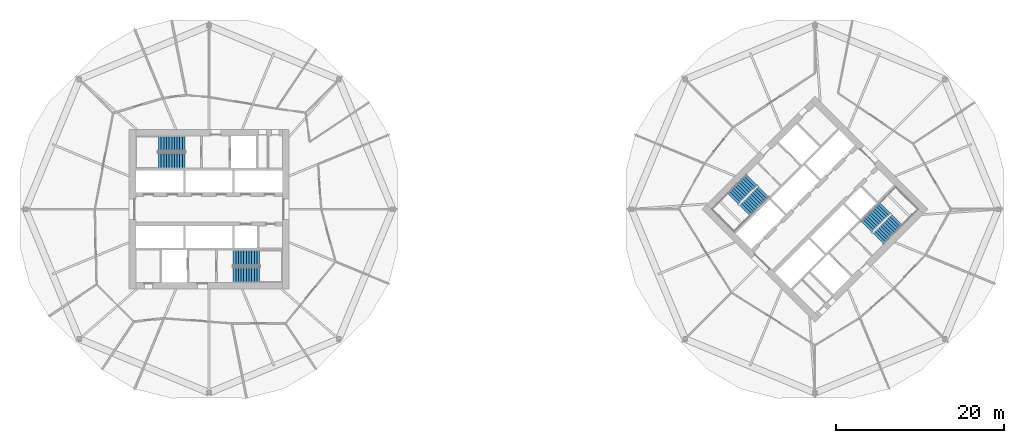
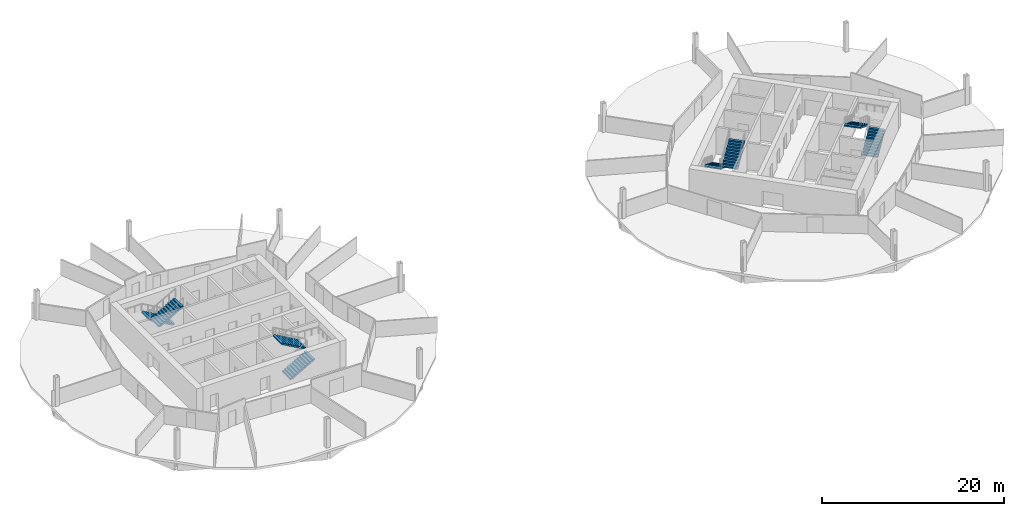
# One storey, part 8 of 9: 8 stair flights, 4 elements without a shape of their own.
"""IFC4 building model written with IfcOpenShell, lengths in metres."""

from ifc_helpers import new_model, si_unit, direction, frame, origin, place, context, subcontext, project, spatial, polyline, outline, extrude, material, type_object, element, aggregate, save


model = new_model("IFC4")

# Units and contexts
model_context = context("Model", 3, precision=1e-05, world=origin(), true_north=direction((0.0, 1.0)))
body_context = subcontext(model_context, "Body", "Model", "MODEL_VIEW")
ifc_project = project(units=[si_unit("LENGTHUNIT", "METRE"), si_unit("AREAUNIT", "SQUARE_METRE"), si_unit("VOLUMEUNIT", "CUBIC_METRE"), si_unit("PLANEANGLEUNIT", "RADIAN"), si_unit("MASSUNIT", "GRAM", prefix="KILO")], contexts=[model_context])

# Site, building, storey
site_placement = place(None, origin())
site = spatial("IfcSite", under=ifc_project, at=site_placement, CompositionType="ELEMENT")
building_placement = place(site_placement, origin())
building = spatial("IfcBuilding", under=site, at=building_placement, Name="Ogive Gate Towers", CompositionType="ELEMENT")
storey_placement = place(building_placement, frame((0.0, 0.0, 40.199951171875)))
storey = spatial("IfcBuildingStorey", under=building, at=storey_placement, Name="L08", CompositionType="ELEMENT", Elevation=40.199951171875)

# Stair, stair flights
ifc_material = material(Name="Concrete C40/50", Category="concrete")
stair_type = type_object("IfcStairType", Name="Escape stair 1840 wide", PredefinedType="HALF_TURN_STAIR", material=ifc_material)
stair_1_placement = place(storey_placement, origin())
stair_1 = element("IfcStair", 1, at=stair_1_placement, inside=storey, type_object=stair_type, Name="L08 Escape stair 1", PredefinedType="HALF_TURN_STAIR")
stair_flight_type = type_object("IfcStairFlightType", Name="Stair flight 1840 wide", PredefinedType="STRAIGHT", material=ifc_material)
stair_flight_1_placement = place(storey_placement, frame((-38.864990234375, 7.780029296875, 0.0), z_axis=(0.0, 0.0, 1.0), x_axis=(-1.0, 0.0, 0.0)))
stair_flight_1 = element("IfcStairFlight", 2, at=stair_flight_1_placement, type_object=stair_flight_type, Name="ST1 flight 1", NumberOfRisers=11, NumberOfTreads=10, PredefinedType="STRAIGHT", RiserHeight=0.177272727, TreadLength=0.313636364, context=body_context, shape_type="SweptSolid", body=[
    extrude(outline(polyline([(0.0, 0.0), (0.0, 0.17724609375), (0.313720703125, 0.17724609375), (0.313720703125, 0.3544921875), (0.627197265625, 0.3544921875), (0.627197265625, 0.53173828125), (0.94091796875, 0.53173828125), (0.94091796875, 0.708984375), (1.254638671875, 0.708984375), (1.254638671875, 0.886474609375), (1.568115234375, 0.886474609375), (1.568115234375, 1.063720703125), (1.8818359375, 1.063720703125), (1.8818359375, 1.240966796875), (2.195556640625, 1.240966796875), (2.195556640625, 1.418212890625), (2.509033203125, 1.418212890625), (2.509033203125, 1.595458984375), (2.82275390625, 1.595458984375), (2.82275390625, 1.772705078125), (3.136474609375, 1.772705078125), (3.136474609375, 1.949951171875), (3.136474609375, 1.6005859375), (0.3046875, 0.0), (0.0, 0.0)])), frame((0.0, 0.919921875, 0.0), z_axis=(0.0, -1.0, 0.0), x_axis=(1.0, 0.0, 0.0)), (0.0, 0.0, 1.0), 1.840087890625),
])
stair_flight_2_placement = place(storey_placement, frame((-42.00146484375, 5.794921875, 1.949951171875), z_axis=(0.0, 0.0, 1.0), x_axis=(1.0, 0.0, 0.0)))
stair_flight_2 = element("IfcStairFlight", 3, at=stair_flight_2_placement, type_object=stair_flight_type, Name="ST1 flight 2", NumberOfRisers=11, NumberOfTreads=10, PredefinedType="STRAIGHT", RiserHeight=0.177272727, TreadLength=0.313636364, context=body_context, shape_type="SweptSolid", body=[
    extrude(outline(polyline([(0.0, 0.0), (0.0, 0.17724609375), (0.313720703125, 0.17724609375), (0.313720703125, 0.3544921875), (0.627197265625, 0.3544921875), (0.627197265625, 0.53173828125), (0.94091796875, 0.53173828125), (0.94091796875, 0.708984375), (1.254638671875, 0.708984375), (1.254638671875, 0.886474609375), (1.568115234375, 0.886474609375), (1.568115234375, 1.063720703125), (1.8818359375, 1.063720703125), (1.8818359375, 1.240966796875), (2.195556640625, 1.240966796875), (2.195556640625, 1.418212890625), (2.509033203125, 1.418212890625), (2.509033203125, 1.595458984375), (2.82275390625, 1.595458984375), (2.82275390625, 1.772705078125), (3.136474609375, 1.772705078125), (3.136474609375, 1.949951171875), (3.136474609375, 1.6005859375), (0.3046875, 0.0), (0.0, 0.0)])), frame((0.0, 0.919921875, 0.0), z_axis=(0.0, -1.0, 0.0), x_axis=(1.0, 0.0, 0.0)), (0.0, 0.0, 1.0), 1.840087890625),
])
aggregate(stair_1, [stair_flight_1, stair_flight_2])

stair_2_placement = place(storey_placement, origin())
stair_2 = element("IfcStair", 4, at=stair_2_placement, inside=storey, type_object=stair_type, Name="L08 Escape stair 2", PredefinedType="HALF_TURN_STAIR")
stair_flight_3_placement = place(storey_placement, frame((-33.135009765625, -7.780029296875, 0.0), z_axis=(0.0, 0.0, 1.0), x_axis=(1.0, 0.0, 0.0)))
stair_flight_3 = element("IfcStairFlight", 5, at=stair_flight_3_placement, type_object=stair_flight_type, Name="ST2 flight 1", NumberOfRisers=11, NumberOfTreads=10, PredefinedType="STRAIGHT", RiserHeight=0.177272727, TreadLength=0.313636364, context=body_context, shape_type="SweptSolid", body=[
    extrude(outline(polyline([(0.0, 0.0), (0.0, 0.17724609375), (0.313720703125, 0.17724609375), (0.313720703125, 0.3544921875), (0.627197265625, 0.3544921875), (0.627197265625, 0.53173828125), (0.94091796875, 0.53173828125), (0.94091796875, 0.708984375), (1.254638671875, 0.708984375), (1.254638671875, 0.886474609375), (1.568115234375, 0.886474609375), (1.568115234375, 1.063720703125), (1.8818359375, 1.063720703125), (1.8818359375, 1.240966796875), (2.195556640625, 1.240966796875), (2.195556640625, 1.418212890625), (2.509033203125, 1.418212890625), (2.509033203125, 1.595458984375), (2.82275390625, 1.595458984375), (2.82275390625, 1.772705078125), (3.136474609375, 1.772705078125), (3.136474609375, 1.949951171875), (3.136474609375, 1.6005859375), (0.3046875, 0.0), (0.0, 0.0)])), frame((0.0, 0.919921875, 0.0), z_axis=(0.0, -1.0, 0.0), x_axis=(1.0, 0.0, 0.0)), (0.0, 0.0, 1.0), 1.840087890625),
])
stair_flight_4_placement = place(storey_placement, frame((-29.99853515625, -5.794921875, 1.949951171875), z_axis=(0.0, 0.0, 1.0), x_axis=(-1.0, 0.0, 0.0)))
stair_flight_4 = element("IfcStairFlight", 6, at=stair_flight_4_placement, type_object=stair_flight_type, Name="ST2 flight 2", NumberOfRisers=11, NumberOfTreads=10, PredefinedType="STRAIGHT", RiserHeight=0.177272727, TreadLength=0.313636364, context=body_context, shape_type="SweptSolid", body=[
    extrude(outline(polyline([(0.0, 0.0), (0.0, 0.17724609375), (0.313720703125, 0.17724609375), (0.313720703125, 0.3544921875), (0.627197265625, 0.3544921875), (0.627197265625, 0.53173828125), (0.94091796875, 0.53173828125), (0.94091796875, 0.708984375), (1.254638671875, 0.708984375), (1.254638671875, 0.886474609375), (1.568115234375, 0.886474609375), (1.568115234375, 1.063720703125), (1.8818359375, 1.063720703125), (1.8818359375, 1.240966796875), (2.195556640625, 1.240966796875), (2.195556640625, 1.418212890625), (2.509033203125, 1.418212890625), (2.509033203125, 1.595458984375), (2.82275390625, 1.595458984375), (2.82275390625, 1.772705078125), (3.136474609375, 1.772705078125), (3.136474609375, 1.949951171875), (3.136474609375, 1.6005859375), (0.3046875, 0.0), (0.0, 0.0)])), frame((0.0, 0.919921875, 0.0), z_axis=(0.0, -1.0, 0.0), x_axis=(1.0, 0.0, 0.0)), (0.0, 0.0, 1.0), 1.840087890625),
])
aggregate(stair_2, [stair_flight_3, stair_flight_4])

stair_3_placement = place(storey_placement, origin())
stair_3 = element("IfcStair", 7, at=stair_3_placement, inside=storey, type_object=stair_type, Name="L08 Escape stair 1", PredefinedType="HALF_TURN_STAIR")
stair_flight_5_placement = place(storey_placement, frame((28.472900390625, 3.475341796875, 0.0), z_axis=(0.0, 0.0, 1.0), x_axis=(-0.707106781187, -0.707106781187, 0.0)))
stair_flight_5 = element("IfcStairFlight", 8, at=stair_flight_5_placement, type_object=stair_flight_type, Name="ST1 flight 1", NumberOfRisers=11, NumberOfTreads=10, PredefinedType="STRAIGHT", RiserHeight=0.177272727, TreadLength=0.313636364, context=body_context, shape_type="SweptSolid", body=[
    extrude(outline(polyline([(0.0, 0.0), (0.0, 0.17724609375), (0.313720703125, 0.17724609375), (0.313720703125, 0.3544921875), (0.627197265625, 0.3544921875), (0.627197265625, 0.53173828125), (0.94091796875, 0.53173828125), (0.94091796875, 0.708984375), (1.254638671875, 0.708984375), (1.254638671875, 0.886474609375), (1.568115234375, 0.886474609375), (1.568115234375, 1.063720703125), (1.8818359375, 1.063720703125), (1.8818359375, 1.240966796875), (2.195556640625, 1.240966796875), (2.195556640625, 1.418212890625), (2.509033203125, 1.418212890625), (2.509033203125, 1.595458984375), (2.82275390625, 1.595458984375), (2.82275390625, 1.772705078125), (3.136474609375, 1.772705078125), (3.136474609375, 1.949951171875), (3.136474609375, 1.6005859375), (0.3046875, 0.0), (0.0, 0.0)])), frame((0.0, 0.919921875, 0.0), z_axis=(0.0, -1.0, 0.0), x_axis=(1.0, 0.0, 0.0)), (0.0, 0.0, 1.0), 1.840087890625),
])
stair_flight_6_placement = place(storey_placement, frame((27.65869140625, -0.14599609375, 1.949951171875), z_axis=(0.0, 0.0, 1.0), x_axis=(0.707106781187, 0.707106781187, 0.0)))
stair_flight_6 = element("IfcStairFlight", 9, at=stair_flight_6_placement, type_object=stair_flight_type, Name="ST1 flight 2", NumberOfRisers=11, NumberOfTreads=10, PredefinedType="STRAIGHT", RiserHeight=0.177272727, TreadLength=0.313636364, context=body_context, shape_type="SweptSolid", body=[
    extrude(outline(polyline([(0.0, 0.0), (0.0, 0.17724609375), (0.313720703125, 0.17724609375), (0.313720703125, 0.3544921875), (0.627197265625, 0.3544921875), (0.627197265625, 0.53173828125), (0.94091796875, 0.53173828125), (0.94091796875, 0.708984375), (1.254638671875, 0.708984375), (1.254638671875, 0.886474609375), (1.568115234375, 0.886474609375), (1.568115234375, 1.063720703125), (1.8818359375, 1.063720703125), (1.8818359375, 1.240966796875), (2.195556640625, 1.240966796875), (2.195556640625, 1.418212890625), (2.509033203125, 1.418212890625), (2.509033203125, 1.595458984375), (2.82275390625, 1.595458984375), (2.82275390625, 1.772705078125), (3.136474609375, 1.772705078125), (3.136474609375, 1.949951171875), (3.136474609375, 1.6005859375), (0.3046875, 0.0), (0.0, 0.0)])), frame((0.0, 0.919921875, 0.0), z_axis=(0.0, -1.0, 0.0), x_axis=(1.0, 0.0, 0.0)), (0.0, 0.0, 1.0), 1.840087890625),
])
aggregate(stair_3, [stair_flight_5, stair_flight_6])

stair_4_placement = place(storey_placement, origin())
stair_4 = element("IfcStair", 10, at=stair_4_placement, inside=storey, type_object=stair_type, Name="L08 Escape stair 2", PredefinedType="HALF_TURN_STAIR")
stair_flight_7_placement = place(storey_placement, frame((43.527099609375, -3.475341796875, 0.0), z_axis=(0.0, 0.0, 1.0), x_axis=(0.707106781187, 0.707106781187, 0.0)))
stair_flight_7 = element("IfcStairFlight", 11, at=stair_flight_7_placement, type_object=stair_flight_type, Name="ST2 flight 1", NumberOfRisers=11, NumberOfTreads=10, PredefinedType="STRAIGHT", RiserHeight=0.177272727, TreadLength=0.313636364, context=body_context, shape_type="SweptSolid", body=[
    extrude(outline(polyline([(0.0, 0.0), (0.0, 0.17724609375), (0.313720703125, 0.17724609375), (0.313720703125, 0.3544921875), (0.627197265625, 0.3544921875), (0.627197265625, 0.53173828125), (0.94091796875, 0.53173828125), (0.94091796875, 0.708984375), (1.254638671875, 0.708984375), (1.254638671875, 0.886474609375), (1.568115234375, 0.886474609375), (1.568115234375, 1.063720703125), (1.8818359375, 1.063720703125), (1.8818359375, 1.240966796875), (2.195556640625, 1.240966796875), (2.195556640625, 1.418212890625), (2.509033203125, 1.418212890625), (2.509033203125, 1.595458984375), (2.82275390625, 1.595458984375), (2.82275390625, 1.772705078125), (3.136474609375, 1.772705078125), (3.136474609375, 1.949951171875), (3.136474609375, 1.6005859375), (0.3046875, 0.0), (0.0, 0.0)])), frame((0.0, 0.919921875, 0.0), z_axis=(0.0, -1.0, 0.0), x_axis=(1.0, 0.0, 0.0)), (0.0, 0.0, 1.0), 1.840087890625),
])
stair_flight_8_placement = place(storey_placement, frame((44.34130859375, 0.14599609375, 1.949951171875), z_axis=(0.0, 0.0, 1.0), x_axis=(-0.707106781187, -0.707106781187, 0.0)))
stair_flight_8 = element("IfcStairFlight", 12, at=stair_flight_8_placement, type_object=stair_flight_type, Name="ST2 flight 2", NumberOfRisers=11, NumberOfTreads=10, PredefinedType="STRAIGHT", RiserHeight=0.177272727, TreadLength=0.313636364, context=body_context, shape_type="SweptSolid", body=[
    extrude(outline(polyline([(0.0, 0.0), (0.0, 0.17724609375), (0.313720703125, 0.17724609375), (0.313720703125, 0.3544921875), (0.627197265625, 0.3544921875), (0.627197265625, 0.53173828125), (0.94091796875, 0.53173828125), (0.94091796875, 0.708984375), (1.254638671875, 0.708984375), (1.254638671875, 0.886474609375), (1.568115234375, 0.886474609375), (1.568115234375, 1.063720703125), (1.8818359375, 1.063720703125), (1.8818359375, 1.240966796875), (2.195556640625, 1.240966796875), (2.195556640625, 1.418212890625), (2.509033203125, 1.418212890625), (2.509033203125, 1.595458984375), (2.82275390625, 1.595458984375), (2.82275390625, 1.772705078125), (3.136474609375, 1.772705078125), (3.136474609375, 1.949951171875), (3.136474609375, 1.6005859375), (0.3046875, 0.0), (0.0, 0.0)])), frame((0.0, 0.919921875, 0.0), z_axis=(0.0, -1.0, 0.0), x_axis=(1.0, 0.0, 0.0)), (0.0, 0.0, 1.0), 1.840087890625),
])
aggregate(stair_4, [stair_flight_7, stair_flight_8])

save(model, "model.ifc")
